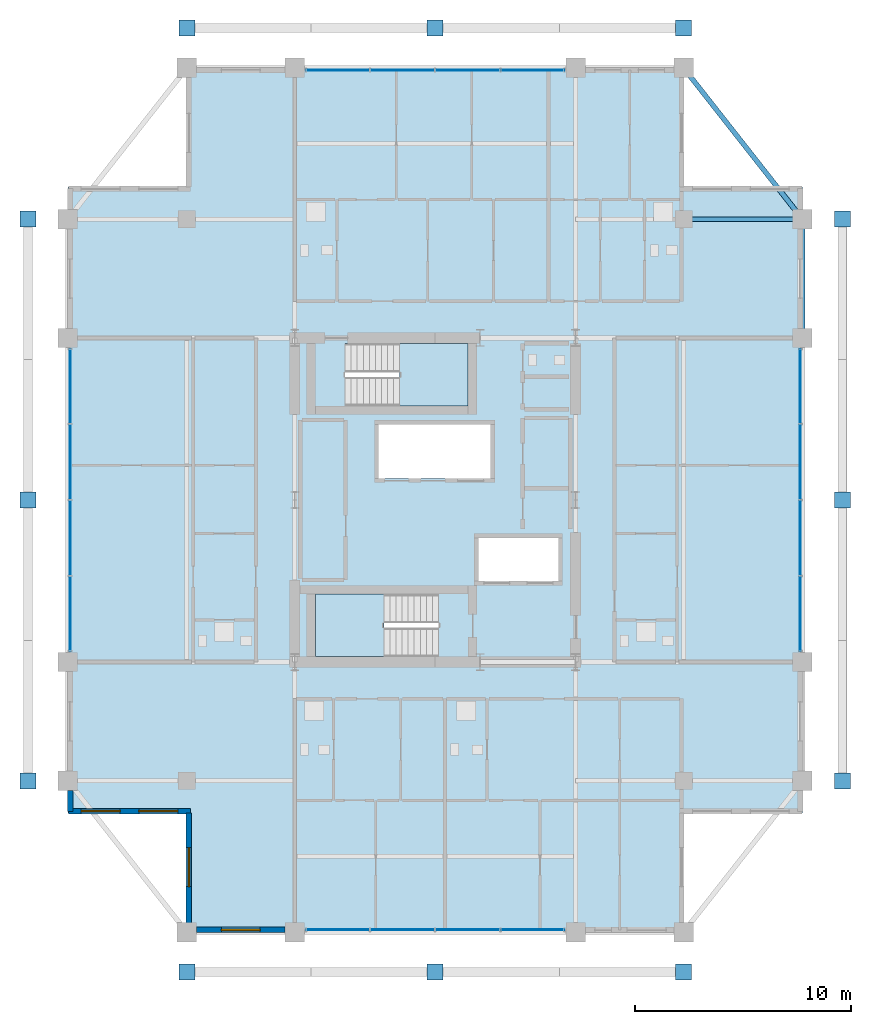
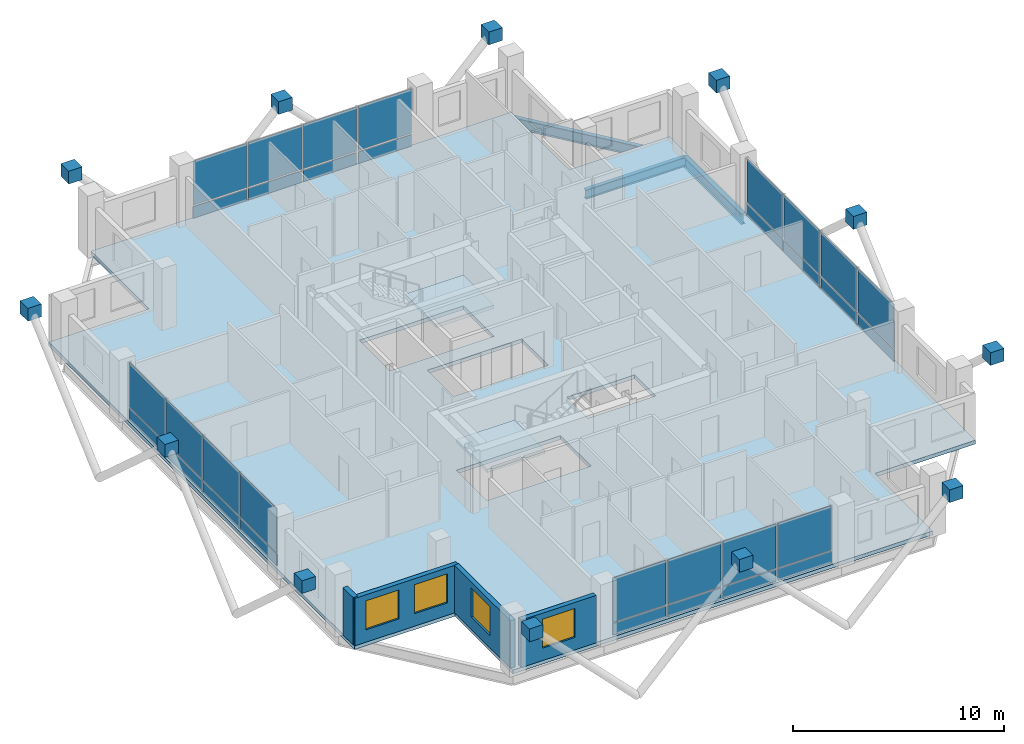
# One storey, part 17 of 24: 44 plates, 4 walls, 4 windows, 3 beams, 3 slabs, 4 openings, 6 elements without a shape of their own.
"""IFC4 building model written with IfcOpenShell, lengths in metres."""

from ifc_helpers import new_model, si_unit, direction, frame, frame_2d, origin, origin_2d, place, context, subcontext, project, spatial, polyline, rectangle, i_section, outline, extrude, material, layer, layer_set, material_profile, profile_set, type_object, element, fill, aggregate, save


model = new_model("IFC4")

# Units and contexts
model_context = context("Model", 3, precision=1e-05, world=origin(), true_north=direction((0.0, 1.0)))
body_context = subcontext(model_context, "Body", "Model", "MODEL_VIEW")
ifc_project = project(units=[si_unit("LENGTHUNIT", "METRE"), si_unit("AREAUNIT", "SQUARE_METRE"), si_unit("VOLUMEUNIT", "CUBIC_METRE"), si_unit("PLANEANGLEUNIT", "RADIAN"), si_unit("MASSUNIT", "GRAM", prefix="KILO")], contexts=[model_context])

# Site, building, storey
site_placement = place(None, origin())
site = spatial("IfcSite", under=ifc_project, at=site_placement, CompositionType="ELEMENT")
building_placement = place(site_placement, origin())
building = spatial("IfcBuilding", under=site, at=building_placement, Name="Barlavira Tower and Art Museum", CompositionType="ELEMENT")
storey_placement = place(building_placement, frame((0.0, 0.0, 225.89990234375)))
storey = spatial("IfcBuildingStorey", under=building, at=storey_placement, Name="L58", CompositionType="ELEMENT", Elevation=225.89990234375)

# Beams
ifc_material_1 = material(Name="Steel S355", Category="steel")
ifc_material_profile_1 = material_profile(ifc_material_1, i_section(OverallWidth=0.22998046875, OverallDepth=0.616943359375, WebThickness=0.01318359375, FlangeThickness=0.022216796875, at=origin_2d()), Name="W610x140.0")
ifc_profile_set_1 = profile_set([ifc_material_profile_1], Name="Steel S355")
beam_type_1 = type_object("IfcBeamType", Name="Upper Shaft Spandrel Edge Beam W610x140 Steel S355", PredefinedType="SPANDREL", material=ifc_profile_set_1)
beam_1_placement = place(storey_placement, frame((17.0, 7.5, -0.5283203125), z_axis=(0.0, 1.0, 0.0), x_axis=(-1.0, 0.0, 0.0)))
element("IfcBeam", 1, at=beam_1_placement, inside=storey, type_object=beam_type_1, Name="L58 Spandrel 7", PredefinedType="SPANDREL", context=body_context, shape_type="SweptSolid", body=[
    extrude(i_section(OverallWidth=0.22998046875, OverallDepth=0.616943359375, WebThickness=0.01318359375, FlangeThickness=0.022216796875, at=origin_2d()), origin(), (0.0, 0.0, 1.0), 5.5),
])
beam_2_placement = place(storey_placement, frame((17.0, 13.0, -0.5283203125), z_axis=(-0.617821551932, 0.786318338822, 0.0), x_axis=(-0.786318338822, -0.617821551932, 0.0)))
element("IfcBeam", 2, at=beam_2_placement, inside=storey, type_object=beam_type_1, Name="L58 Spandrel 8", PredefinedType="SPANDREL", context=body_context, shape_type="SweptSolid", body=[
    extrude(i_section(OverallWidth=0.22998046875, OverallDepth=0.616943359375, WebThickness=0.01318359375, FlangeThickness=0.022216796875, at=origin_2d()), origin(), (0.0, 0.0, 1.0), 8.90234375),
])
ifc_material_profile_2 = material_profile(ifc_material_1, i_section(OverallWidth=0.2109375, OverallDepth=0.5390625, WebThickness=0.01171875, FlangeThickness=0.018798828125, at=origin_2d()), Name="W530x109.0")
ifc_profile_set_2 = profile_set([ifc_material_profile_2], Name="Steel S355")
beam_type_2 = type_object("IfcBeamType", Name="Zone 3-4 Primary Floor Girder W530x109 Steel S355", PredefinedType="BEAM", material=ifc_profile_set_2)
beam_3_placement = place(storey_placement, frame((11.5, 13.0, -0.489501953125), z_axis=(1.0, 0.0, 0.0), x_axis=(0.0, 1.0, 0.0)))
element("IfcBeam", 3, at=beam_3_placement, inside=storey, type_object=beam_type_2, Name="L58 Girder I-N4", PredefinedType="BEAM", context=body_context, shape_type="SweptSolid", body=[
    extrude(i_section(OverallWidth=0.2109375, OverallDepth=0.5390625, WebThickness=0.01171875, FlangeThickness=0.018798828125, at=origin_2d()), origin(), (0.0, 0.0, 1.0), 5.5),
])

# Curtain wall, plates
ifc_material_2 = material(Name="Low-iron coastal laminated glass", Category="glass")
ifc_layer_1 = layer(ifc_material_2, 0.2099609375, Name="Low-iron coastal laminated glass")
ifc_layer_set_1 = layer_set([ifc_layer_1], Name="Low-iron coastal laminated glass")
curtain_wall_type = type_object("IfcCurtainWallType", Name="Pale-Metal Unitised Curtain Wall Zone 4", PredefinedType="NOTDEFINED", material=ifc_layer_set_1)
curtain_wall_1_placement = place(storey_placement, origin())
curtain_wall_1 = element("IfcCurtainWall", 4, at=curtain_wall_1_placement, inside=storey, type_object=curtain_wall_type, Name="L58 Curtain Wall CW4-L58-S-B2", PredefinedType="NOTDEFINED")
ifc_material_3 = material(Name="Pale anodised aluminium", Category="aluminium")
ifc_layer_2 = layer(ifc_material_3, 0.044921875, Name="Pale anodised aluminium")
ifc_layer_set_2 = layer_set([ifc_layer_2], Name="Pale anodised aluminium")
plate_type_1 = type_object("IfcPlateType", Name="Curtain Wall Pale-Metal Spandrel Panel 45", PredefinedType="CURTAIN_PANEL", material=ifc_layer_set_2)
plate_1_placement = place(storey_placement, frame((-4.5224609375, -19.89990234375, 0.0400390625), z_axis=(0.0, 0.0, 1.0), x_axis=(1.0, 0.0, 0.0)))
plate_1 = element("IfcPlate", 5, at=plate_1_placement, type_object=plate_type_1, Name="CW4-L58-S-B2 Spandrel Panel 0", PredefinedType="CURTAIN_PANEL", context=body_context, shape_type="SweptSolid", body=[
    extrude(rectangle(XDim=2.9150390625, YDim=0.044921875, at=origin_2d()), origin(), (0.0, 0.0, 1.0), 0.6640625),
])
plate_2_placement = place(storey_placement, frame((-1.507568359375, -19.89990234375, 0.0400390625), z_axis=(0.0, 0.0, 1.0), x_axis=(1.0, 0.0, 0.0)))
plate_2 = element("IfcPlate", 6, at=plate_2_placement, type_object=plate_type_1, Name="CW4-L58-S-B2 Spandrel Panel 1", PredefinedType="CURTAIN_PANEL", context=body_context, shape_type="SweptSolid", body=[
    extrude(rectangle(XDim=2.9150390625, YDim=0.044921875, at=origin_2d()), origin(), (0.0, 0.0, 1.0), 0.6640625),
])
plate_3_placement = place(storey_placement, frame((1.507568359375, -19.89990234375, 0.0400390625), z_axis=(0.0, 0.0, 1.0), x_axis=(1.0, 0.0, 0.0)))
plate_3 = element("IfcPlate", 7, at=plate_3_placement, type_object=plate_type_1, Name="CW4-L58-S-B2 Spandrel Panel 2", PredefinedType="CURTAIN_PANEL", context=body_context, shape_type="SweptSolid", body=[
    extrude(rectangle(XDim=2.9150390625, YDim=0.044921875, at=origin_2d()), origin(), (0.0, 0.0, 1.0), 0.6640625),
])
plate_4_placement = place(storey_placement, frame((4.5224609375, -19.89990234375, 0.0400390625), z_axis=(0.0, 0.0, 1.0), x_axis=(1.0, 0.0, 0.0)))
plate_4 = element("IfcPlate", 8, at=plate_4_placement, type_object=plate_type_1, Name="CW4-L58-S-B2 Spandrel Panel 3", PredefinedType="CURTAIN_PANEL", context=body_context, shape_type="SweptSolid", body=[
    extrude(rectangle(XDim=2.9150390625, YDim=0.044921875, at=origin_2d()), origin(), (0.0, 0.0, 1.0), 0.6640625),
])

curtain_wall_2_placement = place(storey_placement, origin())
curtain_wall_2 = element("IfcCurtainWall", 9, at=curtain_wall_2_placement, inside=storey, type_object=curtain_wall_type, Name="L58 Curtain Wall CW4-L58-N-B2", PredefinedType="NOTDEFINED")
plate_5_placement = place(storey_placement, frame((4.5224609375, 19.89990234375, 0.0400390625), z_axis=(0.0, 0.0, 1.0), x_axis=(-1.0, 0.0, 0.0)))
plate_5 = element("IfcPlate", 10, at=plate_5_placement, type_object=plate_type_1, Name="CW4-L58-N-B2 Spandrel Panel 0", PredefinedType="CURTAIN_PANEL", context=body_context, shape_type="SweptSolid", body=[
    extrude(rectangle(XDim=2.9150390625, YDim=0.044921875, at=origin_2d()), origin(), (0.0, 0.0, 1.0), 0.6640625),
])
plate_6_placement = place(storey_placement, frame((1.507568359375, 19.89990234375, 0.0400390625), z_axis=(0.0, 0.0, 1.0), x_axis=(-1.0, 0.0, 0.0)))
plate_6 = element("IfcPlate", 11, at=plate_6_placement, type_object=plate_type_1, Name="CW4-L58-N-B2 Spandrel Panel 1", PredefinedType="CURTAIN_PANEL", context=body_context, shape_type="SweptSolid", body=[
    extrude(rectangle(XDim=2.9150390625, YDim=0.044921875, at=origin_2d()), origin(), (0.0, 0.0, 1.0), 0.6640625),
])
plate_7_placement = place(storey_placement, frame((-1.507568359375, 19.89990234375, 0.0400390625), z_axis=(0.0, 0.0, 1.0), x_axis=(-1.0, 0.0, 0.0)))
plate_7 = element("IfcPlate", 12, at=plate_7_placement, type_object=plate_type_1, Name="CW4-L58-N-B2 Spandrel Panel 2", PredefinedType="CURTAIN_PANEL", context=body_context, shape_type="SweptSolid", body=[
    extrude(rectangle(XDim=2.9150390625, YDim=0.044921875, at=origin_2d()), origin(), (0.0, 0.0, 1.0), 0.6640625),
])
plate_8_placement = place(storey_placement, frame((-4.5224609375, 19.89990234375, 0.0400390625), z_axis=(0.0, 0.0, 1.0), x_axis=(-1.0, 0.0, 0.0)))
plate_8 = element("IfcPlate", 13, at=plate_8_placement, type_object=plate_type_1, Name="CW4-L58-N-B2 Spandrel Panel 3", PredefinedType="CURTAIN_PANEL", context=body_context, shape_type="SweptSolid", body=[
    extrude(rectangle(XDim=2.9150390625, YDim=0.044921875, at=origin_2d()), origin(), (0.0, 0.0, 1.0), 0.6640625),
])

curtain_wall_3_placement = place(storey_placement, origin())
curtain_wall_3 = element("IfcCurtainWall", 14, at=curtain_wall_3_placement, inside=storey, type_object=curtain_wall_type, Name="L58 Curtain Wall CW4-L58-W-B3", PredefinedType="NOTDEFINED")
plate_9_placement = place(storey_placement, frame((-16.89990234375, 5.2724609375, 0.0400390625), z_axis=(0.0, 0.0, 1.0), x_axis=(0.0, -1.0, 0.0)))
plate_9 = element("IfcPlate", 15, at=plate_9_placement, type_object=plate_type_1, Name="CW4-L58-W-B3 Spandrel Panel 0", PredefinedType="CURTAIN_PANEL", context=body_context, shape_type="SweptSolid", body=[
    extrude(rectangle(XDim=3.4150390625, YDim=0.044921875, at=origin_2d()), origin(), (0.0, 0.0, 1.0), 0.6640625),
])
plate_10_placement = place(storey_placement, frame((-16.89990234375, 1.757568359375, 0.0400390625), z_axis=(0.0, 0.0, 1.0), x_axis=(0.0, -1.0, 0.0)))
plate_10 = element("IfcPlate", 16, at=plate_10_placement, type_object=plate_type_1, Name="CW4-L58-W-B3 Spandrel Panel 1", PredefinedType="CURTAIN_PANEL", context=body_context, shape_type="SweptSolid", body=[
    extrude(rectangle(XDim=3.4150390625, YDim=0.044921875, at=origin_2d()), origin(), (0.0, 0.0, 1.0), 0.6640625),
])
plate_11_placement = place(storey_placement, frame((-16.89990234375, -1.757568359375, 0.0400390625), z_axis=(0.0, 0.0, 1.0), x_axis=(0.0, -1.0, 0.0)))
plate_11 = element("IfcPlate", 17, at=plate_11_placement, type_object=plate_type_1, Name="CW4-L58-W-B3 Spandrel Panel 2", PredefinedType="CURTAIN_PANEL", context=body_context, shape_type="SweptSolid", body=[
    extrude(rectangle(XDim=3.4150390625, YDim=0.044921875, at=origin_2d()), origin(), (0.0, 0.0, 1.0), 0.6640625),
])
plate_12_placement = place(storey_placement, frame((-16.89990234375, -5.2724609375, 0.0400390625), z_axis=(0.0, 0.0, 1.0), x_axis=(0.0, -1.0, 0.0)))
plate_12 = element("IfcPlate", 18, at=plate_12_placement, type_object=plate_type_1, Name="CW4-L58-W-B3 Spandrel Panel 3", PredefinedType="CURTAIN_PANEL", context=body_context, shape_type="SweptSolid", body=[
    extrude(rectangle(XDim=3.4150390625, YDim=0.044921875, at=origin_2d()), origin(), (0.0, 0.0, 1.0), 0.6640625),
])

curtain_wall_4_placement = place(storey_placement, origin())
curtain_wall_4 = element("IfcCurtainWall", 19, at=curtain_wall_4_placement, inside=storey, type_object=curtain_wall_type, Name="L58 Curtain Wall CW4-L58-E-B3", PredefinedType="NOTDEFINED")
plate_13_placement = place(storey_placement, frame((16.89990234375, -5.2724609375, 0.0400390625), z_axis=(0.0, 0.0, 1.0), x_axis=(0.0, 1.0, 0.0)))
plate_13 = element("IfcPlate", 20, at=plate_13_placement, type_object=plate_type_1, Name="CW4-L58-E-B3 Spandrel Panel 0", PredefinedType="CURTAIN_PANEL", context=body_context, shape_type="SweptSolid", body=[
    extrude(rectangle(XDim=3.4150390625, YDim=0.044921875, at=origin_2d()), origin(), (0.0, 0.0, 1.0), 0.6640625),
])
plate_14_placement = place(storey_placement, frame((16.89990234375, -1.757568359375, 0.0400390625), z_axis=(0.0, 0.0, 1.0), x_axis=(0.0, 1.0, 0.0)))
plate_14 = element("IfcPlate", 21, at=plate_14_placement, type_object=plate_type_1, Name="CW4-L58-E-B3 Spandrel Panel 1", PredefinedType="CURTAIN_PANEL", context=body_context, shape_type="SweptSolid", body=[
    extrude(rectangle(XDim=3.4150390625, YDim=0.044921875, at=origin_2d()), origin(), (0.0, 0.0, 1.0), 0.6640625),
])
plate_15_placement = place(storey_placement, frame((16.89990234375, 1.757568359375, 0.0400390625), z_axis=(0.0, 0.0, 1.0), x_axis=(0.0, 1.0, 0.0)))
plate_15 = element("IfcPlate", 22, at=plate_15_placement, type_object=plate_type_1, Name="CW4-L58-E-B3 Spandrel Panel 2", PredefinedType="CURTAIN_PANEL", context=body_context, shape_type="SweptSolid", body=[
    extrude(rectangle(XDim=3.4150390625, YDim=0.044921875, at=origin_2d()), origin(), (0.0, 0.0, 1.0), 0.6640625),
])
plate_16_placement = place(storey_placement, frame((16.89990234375, 5.2724609375, 0.0400390625), z_axis=(0.0, 0.0, 1.0), x_axis=(0.0, 1.0, 0.0)))
plate_16 = element("IfcPlate", 23, at=plate_16_placement, type_object=plate_type_1, Name="CW4-L58-E-B3 Spandrel Panel 3", PredefinedType="CURTAIN_PANEL", context=body_context, shape_type="SweptSolid", body=[
    extrude(rectangle(XDim=3.4150390625, YDim=0.044921875, at=origin_2d()), origin(), (0.0, 0.0, 1.0), 0.6640625),
])

# Plate
ifc_layer_3 = layer(ifc_material_2, 0.028076171875, Name="Low-iron coastal laminated glass")
ifc_layer_set_3 = layer_set([ifc_layer_3], Name="Low-iron coastal laminated glass")
plate_type_2 = type_object("IfcPlateType", Name="Curtain Wall Vision Glazing Panel 28", PredefinedType="CURTAIN_PANEL", material=ifc_layer_set_3)
plate_17_placement = place(storey_placement, frame((-4.5224609375, -19.89990234375, 0.7841796875), z_axis=(0.0, 0.0, 1.0), x_axis=(1.0, 0.0, 0.0)))
plate_17 = element("IfcPlate", 24, at=plate_17_placement, type_object=plate_type_2, Name="CW4-L58-S-B2 Vision Glass Panel 0", PredefinedType="CURTAIN_PANEL", context=body_context, shape_type="SweptSolid", body=[
    extrude(rectangle(XDim=2.9150390625, YDim=0.028076171875, at=origin_2d()), origin(), (0.0, 0.0, 1.0), 2.555908203125),
])

plate_18_placement = place(storey_placement, frame((-1.507568359375, -19.89990234375, 0.7841796875), z_axis=(0.0, 0.0, 1.0), x_axis=(1.0, 0.0, 0.0)))
plate_18 = element("IfcPlate", 25, at=plate_18_placement, type_object=plate_type_2, Name="CW4-L58-S-B2 Vision Glass Panel 1", PredefinedType="CURTAIN_PANEL", context=body_context, shape_type="SweptSolid", body=[
    extrude(rectangle(XDim=2.9150390625, YDim=0.028076171875, at=origin_2d()), origin(), (0.0, 0.0, 1.0), 2.555908203125),
])

plate_19_placement = place(storey_placement, frame((1.507568359375, -19.89990234375, 0.7841796875), z_axis=(0.0, 0.0, 1.0), x_axis=(1.0, 0.0, 0.0)))
plate_19 = element("IfcPlate", 26, at=plate_19_placement, type_object=plate_type_2, Name="CW4-L58-S-B2 Vision Glass Panel 2", PredefinedType="CURTAIN_PANEL", context=body_context, shape_type="SweptSolid", body=[
    extrude(rectangle(XDim=2.9150390625, YDim=0.028076171875, at=origin_2d()), origin(), (0.0, 0.0, 1.0), 2.555908203125),
])

plate_20_placement = place(storey_placement, frame((4.5224609375, -19.89990234375, 0.7841796875), z_axis=(0.0, 0.0, 1.0), x_axis=(1.0, 0.0, 0.0)))
plate_20 = element("IfcPlate", 27, at=plate_20_placement, type_object=plate_type_2, Name="CW4-L58-S-B2 Vision Glass Panel 3", PredefinedType="CURTAIN_PANEL", context=body_context, shape_type="SweptSolid", body=[
    extrude(rectangle(XDim=2.9150390625, YDim=0.028076171875, at=origin_2d()), origin(), (0.0, 0.0, 1.0), 2.555908203125),
])

aggregate(curtain_wall_1, [plate_1, plate_17, plate_2, plate_18, plate_3, plate_19, plate_4, plate_20])

plate_21_placement = place(storey_placement, frame((4.5224609375, 19.89990234375, 0.7841796875), z_axis=(0.0, 0.0, 1.0), x_axis=(-1.0, 0.0, 0.0)))
plate_21 = element("IfcPlate", 28, at=plate_21_placement, type_object=plate_type_2, Name="CW4-L58-N-B2 Vision Glass Panel 0", PredefinedType="CURTAIN_PANEL", context=body_context, shape_type="SweptSolid", body=[
    extrude(rectangle(XDim=2.9150390625, YDim=0.028076171875, at=origin_2d()), origin(), (0.0, 0.0, 1.0), 2.555908203125),
])

plate_22_placement = place(storey_placement, frame((1.507568359375, 19.89990234375, 0.7841796875), z_axis=(0.0, 0.0, 1.0), x_axis=(-1.0, 0.0, 0.0)))
plate_22 = element("IfcPlate", 29, at=plate_22_placement, type_object=plate_type_2, Name="CW4-L58-N-B2 Vision Glass Panel 1", PredefinedType="CURTAIN_PANEL", context=body_context, shape_type="SweptSolid", body=[
    extrude(rectangle(XDim=2.9150390625, YDim=0.028076171875, at=origin_2d()), origin(), (0.0, 0.0, 1.0), 2.555908203125),
])

plate_23_placement = place(storey_placement, frame((-1.507568359375, 19.89990234375, 0.7841796875), z_axis=(0.0, 0.0, 1.0), x_axis=(-1.0, 0.0, 0.0)))
plate_23 = element("IfcPlate", 30, at=plate_23_placement, type_object=plate_type_2, Name="CW4-L58-N-B2 Vision Glass Panel 2", PredefinedType="CURTAIN_PANEL", context=body_context, shape_type="SweptSolid", body=[
    extrude(rectangle(XDim=2.9150390625, YDim=0.028076171875, at=origin_2d()), origin(), (0.0, 0.0, 1.0), 2.555908203125),
])

plate_24_placement = place(storey_placement, frame((-4.5224609375, 19.89990234375, 0.7841796875), z_axis=(0.0, 0.0, 1.0), x_axis=(-1.0, 0.0, 0.0)))
plate_24 = element("IfcPlate", 31, at=plate_24_placement, type_object=plate_type_2, Name="CW4-L58-N-B2 Vision Glass Panel 3", PredefinedType="CURTAIN_PANEL", context=body_context, shape_type="SweptSolid", body=[
    extrude(rectangle(XDim=2.9150390625, YDim=0.028076171875, at=origin_2d()), origin(), (0.0, 0.0, 1.0), 2.555908203125),
])

aggregate(curtain_wall_2, [plate_5, plate_21, plate_6, plate_22, plate_7, plate_23, plate_8, plate_24])

plate_25_placement = place(storey_placement, frame((-16.89990234375, 5.2724609375, 0.7841796875), z_axis=(0.0, 0.0, 1.0), x_axis=(0.0, -1.0, 0.0)))
plate_25 = element("IfcPlate", 32, at=plate_25_placement, type_object=plate_type_2, Name="CW4-L58-W-B3 Vision Glass Panel 0", PredefinedType="CURTAIN_PANEL", context=body_context, shape_type="SweptSolid", body=[
    extrude(rectangle(XDim=3.4150390625, YDim=0.028076171875, at=origin_2d()), origin(), (0.0, 0.0, 1.0), 2.555908203125),
])

plate_26_placement = place(storey_placement, frame((-16.89990234375, 1.757568359375, 0.7841796875), z_axis=(0.0, 0.0, 1.0), x_axis=(0.0, -1.0, 0.0)))
plate_26 = element("IfcPlate", 33, at=plate_26_placement, type_object=plate_type_2, Name="CW4-L58-W-B3 Vision Glass Panel 1", PredefinedType="CURTAIN_PANEL", context=body_context, shape_type="SweptSolid", body=[
    extrude(rectangle(XDim=3.4150390625, YDim=0.028076171875, at=origin_2d()), origin(), (0.0, 0.0, 1.0), 2.555908203125),
])

plate_27_placement = place(storey_placement, frame((-16.89990234375, -1.757568359375, 0.7841796875), z_axis=(0.0, 0.0, 1.0), x_axis=(0.0, -1.0, 0.0)))
plate_27 = element("IfcPlate", 34, at=plate_27_placement, type_object=plate_type_2, Name="CW4-L58-W-B3 Vision Glass Panel 2", PredefinedType="CURTAIN_PANEL", context=body_context, shape_type="SweptSolid", body=[
    extrude(rectangle(XDim=3.4150390625, YDim=0.028076171875, at=origin_2d()), origin(), (0.0, 0.0, 1.0), 2.555908203125),
])

plate_28_placement = place(storey_placement, frame((-16.89990234375, -5.2724609375, 0.7841796875), z_axis=(0.0, 0.0, 1.0), x_axis=(0.0, -1.0, 0.0)))
plate_28 = element("IfcPlate", 35, at=plate_28_placement, type_object=plate_type_2, Name="CW4-L58-W-B3 Vision Glass Panel 3", PredefinedType="CURTAIN_PANEL", context=body_context, shape_type="SweptSolid", body=[
    extrude(rectangle(XDim=3.4150390625, YDim=0.028076171875, at=origin_2d()), origin(), (0.0, 0.0, 1.0), 2.555908203125),
])

aggregate(curtain_wall_3, [plate_9, plate_25, plate_10, plate_26, plate_11, plate_27, plate_12, plate_28])

plate_29_placement = place(storey_placement, frame((16.89990234375, -5.2724609375, 0.7841796875), z_axis=(0.0, 0.0, 1.0), x_axis=(0.0, 1.0, 0.0)))
plate_29 = element("IfcPlate", 36, at=plate_29_placement, type_object=plate_type_2, Name="CW4-L58-E-B3 Vision Glass Panel 0", PredefinedType="CURTAIN_PANEL", context=body_context, shape_type="SweptSolid", body=[
    extrude(rectangle(XDim=3.4150390625, YDim=0.028076171875, at=origin_2d()), origin(), (0.0, 0.0, 1.0), 2.555908203125),
])

plate_30_placement = place(storey_placement, frame((16.89990234375, -1.757568359375, 0.7841796875), z_axis=(0.0, 0.0, 1.0), x_axis=(0.0, 1.0, 0.0)))
plate_30 = element("IfcPlate", 37, at=plate_30_placement, type_object=plate_type_2, Name="CW4-L58-E-B3 Vision Glass Panel 1", PredefinedType="CURTAIN_PANEL", context=body_context, shape_type="SweptSolid", body=[
    extrude(rectangle(XDim=3.4150390625, YDim=0.028076171875, at=origin_2d()), origin(), (0.0, 0.0, 1.0), 2.555908203125),
])

plate_31_placement = place(storey_placement, frame((16.89990234375, 1.757568359375, 0.7841796875), z_axis=(0.0, 0.0, 1.0), x_axis=(0.0, 1.0, 0.0)))
plate_31 = element("IfcPlate", 38, at=plate_31_placement, type_object=plate_type_2, Name="CW4-L58-E-B3 Vision Glass Panel 2", PredefinedType="CURTAIN_PANEL", context=body_context, shape_type="SweptSolid", body=[
    extrude(rectangle(XDim=3.4150390625, YDim=0.028076171875, at=origin_2d()), origin(), (0.0, 0.0, 1.0), 2.555908203125),
])

plate_32_placement = place(storey_placement, frame((16.89990234375, 5.2724609375, 0.7841796875), z_axis=(0.0, 0.0, 1.0), x_axis=(0.0, 1.0, 0.0)))
plate_32 = element("IfcPlate", 39, at=plate_32_placement, type_object=plate_type_2, Name="CW4-L58-E-B3 Vision Glass Panel 3", PredefinedType="CURTAIN_PANEL", context=body_context, shape_type="SweptSolid", body=[
    extrude(rectangle(XDim=3.4150390625, YDim=0.028076171875, at=origin_2d()), origin(), (0.0, 0.0, 1.0), 2.555908203125),
])

aggregate(curtain_wall_4, [plate_13, plate_29, plate_14, plate_30, plate_15, plate_31, plate_16, plate_32])

# Plates
ifc_layer_4 = layer(ifc_material_1, 0.739990234375, Name="Steel S355")
ifc_layer_set_4 = layer_set([ifc_layer_4], Name="Steel S355")
plate_type_3 = type_object("IfcPlateType", Name="Exoskeleton Solid Steel Node Cap Plate Assembly Type 4 Steel S355", PredefinedType="USERDEFINED", material=ifc_layer_set_4)
for number, where, z_axis, x_axis, name in (
    (40, (-11.5, -21.85009765625, 3.10986328125), (0.0, 0.0, 1.0), (1.0, 0.0, 0.0), "Exoskeleton Node S ND-L58-0628"),
    (41, (0.0, -21.85009765625, 3.10986328125), (0.0, 0.0, 1.0), (1.0, 0.0, 0.0), "Exoskeleton Node S ND-L58-0629"),
    (42, (11.5, -21.85009765625, 3.10986328125), (0.0, 0.0, 1.0), (1.0, 0.0, 0.0), "Exoskeleton Node S ND-L58-0630"),
    (43, (-11.5, 21.85009765625, 3.10986328125), (0.0, 0.0, 1.0), (1.0, 0.0, 0.0), "Exoskeleton Node N ND-L58-0639"),
    (44, (0.0, 21.85009765625, 3.10986328125), (0.0, 0.0, 1.0), (1.0, 0.0, 0.0), "Exoskeleton Node N ND-L58-0640"),
    (45, (11.5, 21.85009765625, 3.10986328125), (0.0, 0.0, 1.0), (1.0, 0.0, 0.0), "Exoskeleton Node N ND-L58-0641"),
    (46, (-18.85009765625, -13.0, 3.10986328125), (0.0, 0.0, 1.0), (1.0, 0.0, 0.0), "Exoskeleton Node W ND-L58-0650"),
    (47, (-18.85009765625, 0.0, 3.10986328125), (0.0, 0.0, 1.0), (1.0, 0.0, 0.0), "Exoskeleton Node W ND-L58-0651"),
    (48, (-18.85009765625, 13.0, 3.10986328125), (0.0, 0.0, 1.0), (1.0, 0.0, 0.0), "Exoskeleton Node W ND-L58-0652"),
    (49, (18.85009765625, -13.0, 3.10986328125), (0.0, 0.0, 1.0), (1.0, 0.0, 0.0), "Exoskeleton Node E ND-L58-0661"),
    (50, (18.85009765625, 0.0, 3.10986328125), (0.0, 0.0, 1.0), (1.0, 0.0, 0.0), "Exoskeleton Node E ND-L58-0662"),
    (51, (18.85009765625, 13.0, 3.10986328125), (0.0, 0.0, 1.0), (1.0, 0.0, 0.0), "Exoskeleton Node E ND-L58-0663"),
):
    element("IfcPlate", number, at=place(storey_placement, frame(where, z_axis=z_axis, x_axis=x_axis)), inside=storey, type_object=plate_type_3, Name=name, ObjectType="FLANGE_PLATE", PredefinedType="USERDEFINED", context=body_context, shape_type="SweptSolid", body=[
        extrude(rectangle(XDim=0.739990234375, YDim=0.739990234375, at=origin_2d()), origin(), (0.0, 0.0, 1.0), 0.739990234375),
    ])

# Stair, slab
ifc_material_4 = material(Name="Concrete C45", Category="concrete")
stair_type_1 = type_object("IfcStairType", Name="Tower North Dog-Leg Exit Stair Assembly Concrete C45", PredefinedType="TWO_QUARTER_TURN_STAIR", material=ifc_material_4)
stair_1_placement = place(storey_placement, origin())
stair_1 = element("IfcStair", 52, at=stair_1_placement, inside=storey, type_object=stair_type_1, Name="L58 Tower North Exit Stair ST-T2", PredefinedType="TWO_QUARTER_TURN_STAIR")
ifc_layer_5 = layer(ifc_material_4, 0.199951171875, Name="Concrete C45")
ifc_layer_set_5 = layer_set([ifc_layer_5], Name="Concrete C45")
slab_type_1 = type_object("IfcSlabType", Name="Tower North Dog-Leg Exit Stair Half-Landing Slab 200 Concrete C45", PredefinedType="LANDING", material=ifc_layer_set_5)
slab_1_placement = place(storey_placement, frame((0.0, 0.0, 1.60009765625)))
slab_1 = element("IfcSlab", 53, at=slab_1_placement, type_object=slab_type_1, Name="ST-T2 landing 1", PredefinedType="LANDING", context=body_context, shape_type="SweptSolid", body=[
    extrude(outline(polyline([(-1.64990234375, 4.35009765625), (1.530029296875, 4.35009765625), (1.530029296875, 7.25), (-1.64990234375, 7.25), (-1.64990234375, 4.35009765625)])), origin(), (0.0, 0.0, 1.0), 0.199951171875),
])
aggregate(stair_1, [slab_1])

stair_type_2 = type_object("IfcStairType", Name="Tower South Dog-Leg Exit Stair Assembly Concrete C45", PredefinedType="TWO_QUARTER_TURN_STAIR", material=ifc_material_4)
stair_2_placement = place(storey_placement, origin())
stair_2 = element("IfcStair", 54, at=stair_2_placement, inside=storey, type_object=stair_type_2, Name="L58 Tower South Exit Stair ST-T1", PredefinedType="TWO_QUARTER_TURN_STAIR")
ifc_layer_6 = layer(ifc_material_4, 0.199951171875, Name="Concrete C45")
ifc_layer_set_6 = layer_set([ifc_layer_6], Name="Concrete C45")
slab_type_2 = type_object("IfcSlabType", Name="Tower South Dog-Leg Exit Stair Half-Landing Slab 200 Concrete C45", PredefinedType="LANDING", material=ifc_layer_set_6)
slab_2_placement = place(storey_placement, frame((0.0, 0.0, 1.60009765625)))
slab_2 = element("IfcSlab", 55, at=slab_2_placement, type_object=slab_type_2, Name="ST-T1 landing 1", PredefinedType="LANDING", context=body_context, shape_type="SweptSolid", body=[
    extrude(outline(polyline([(-2.3701171875, -4.35009765625), (-5.550048828125, -4.35009765625), (-5.550048828125, -7.25), (-2.3701171875, -7.25), (-2.3701171875, -4.35009765625)])), origin(), (0.0, 0.0, 1.0), 0.199951171875),
])
aggregate(stair_2, [slab_2])

# Slab
ifc_material_5 = material(Name="Concrete C50", Category="concrete")
ifc_layer_7 = layer(ifc_material_5, 0.18994140625, Name="Concrete C50")
ifc_layer_set_7 = layer_set([ifc_layer_7], Name="Concrete C50")
slab_type_3 = type_object("IfcSlabType", Name="Zone 4 Residential Composite Slab 190 Concrete C50", PredefinedType="FLOOR", material=ifc_layer_set_7)
slab_3_placement = place(storey_placement, frame((0.0, 0.0, -0.219970703125)))
element("IfcSlab", 56, at=slab_3_placement, inside=storey, type_object=slab_type_3, Name="L58 Tower Floor Slab", PredefinedType="FLOOR", context=body_context, shape_type="SweptSolid", body=[
    extrude(outline(polyline([(-11.5, -20.0), (11.5, -20.0), (11.5, -14.5), (17.0, -14.5), (17.0, 14.5), (11.5, 14.5), (11.5, 20.0), (-11.5, 20.0), (-11.5, 14.5), (-17.0, 14.5), (-17.0, -14.5), (-11.5, -14.5), (-11.5, -20.0)]), holes=[polyline([(0.14990234375, -4.35009765625), (-5.550048828125, -4.35009765625), (-5.550048828125, -7.25), (0.14990234375, -7.25), (0.14990234375, -4.35009765625)]), polyline([(-4.169921875, 4.35009765625), (1.530029296875, 4.35009765625), (1.530029296875, 7.25), (-4.169921875, 7.25), (-4.169921875, 4.35009765625)]), polyline([(-2.6201171875, 1.0), (2.56005859375, 1.0), (2.56005859375, 3.5), (-2.6201171875, 3.5), (-2.6201171875, 1.0)]), polyline([(2.0, -3.75), (5.699951171875, -3.75), (5.699951171875, -1.75), (2.0, -1.75), (2.0, -3.75)])]), origin(), (0.0, 0.0, 1.0), 0.219970703125),
])

# Wall, opening, window
ifc_material_6 = material(Name="Precast concrete C40", Category="concrete")
ifc_layer_8 = layer(ifc_material_6, 0.25, Name="Precast concrete C40")
ifc_layer_set_8 = layer_set([ifc_layer_8], Name="Precast concrete C40")
wall_type = type_object("IfcWallType", Name="Notched Corner Spandrel Wall 250 Precast Concrete C40", PredefinedType="SOLIDWALL", material=ifc_layer_set_8)
wall_1_placement = place(storey_placement, frame((-11.054931640625, -19.89990234375, 0.0), z_axis=(0.0, 0.0, 1.0), x_axis=(1.0, 0.0, 0.0)))
wall_1 = element("IfcWall", 57, at=wall_1_placement, inside=storey, type_object=wall_type, Name="L58 Coastal Facade Pier Wall CW4-L58-S-1", PredefinedType="SOLIDWALL", context=body_context, shape_type="SweptSolid", body=[
    extrude(rectangle(XDim=4.10986328125, YDim=0.25, at=frame_2d((2.054931640625, 0.0))), origin(), (0.0, 0.0, 1.0), 2.748046875),
])
opening_1_placement = place(wall_1_placement, frame((1.155029296875, 0.0, 0.719970703125)))
opening_1 = element("IfcOpeningElement", 58, at=opening_1_placement, cuts=wall_1, Name="Opening WN-01", PredefinedType="OPENING", context=body_context, shape_type="SweptSolid", body=[
    extrude(rectangle(XDim=1.800048828125, YDim=1.679931640625, at=frame_2d((0.89990234375, 0.83984375))), frame((0.0, 0.135009765625, 0.0), z_axis=(0.0, -1.0, 0.0), x_axis=(1.0, 0.0, 0.0)), (0.0, 0.0, 1.0), 0.27001953125),
])
window_type = type_object("IfcWindowType", Name="Recessed Notch Corner Punch Window 1800x1680", PartitioningType="SINGLE_PANEL", PredefinedType="WINDOW", material=ifc_material_2)
window_1_placement = place(opening_1_placement, origin())
window_1 = element("IfcWindow", 59, at=window_1_placement, inside=storey, type_object=window_type, Name="L58 Punched Facade Window EWP-CW4-L58-S-1-1", OverallHeight=1.679931640625, OverallWidth=1.800048828125, PartitioningType="SINGLE_PANEL", PredefinedType="WINDOW", context=body_context, shape_type="SweptSolid", body=[
    extrude(rectangle(XDim=1.800048828125, YDim=1.679931640625, at=frame_2d((0.89990234375, 0.83984375))), frame((0.0, 0.030029296875, 0.0), z_axis=(0.0, -1.0, 0.0), x_axis=(1.0, 0.0, 0.0)), (0.0, 0.0, 1.0), 0.06005859375),
])
fill(opening_1, window_1)

# Wall
wall_2_placement = place(storey_placement, frame((-16.89990234375, -13.445068359375, 0.0), z_axis=(0.0, 0.0, 1.0), x_axis=(0.0, -1.0, 0.0)))
element("IfcWall", 60, at=wall_2_placement, inside=storey, type_object=wall_type, Name="L58 Coastal Facade Pier Wall CW4-L58-W-5", PredefinedType="SOLIDWALL", context=body_context, shape_type="SweptSolid", body=[
    extrude(rectangle(XDim=0.97998046875, YDim=0.25, at=frame_2d((0.489990234375, 0.0))), origin(), (0.0, 0.0, 1.0), 2.748046875),
])

# Wall, openings, windows
wall_3_placement = place(storey_placement, frame((-16.97998046875, -14.39990234375, 0.0), z_axis=(0.0, 0.0, 1.0), x_axis=(1.0, 0.0, 0.0)))
wall_3 = element("IfcWall", 61, at=wall_3_placement, inside=storey, type_object=wall_type, Name="L58 Notch Corner Wall SW1", PredefinedType="SOLIDWALL", context=body_context, shape_type="SweptSolid", body=[
    extrude(rectangle(XDim=5.659912109375, YDim=0.25, at=frame_2d((2.830078125, 0.0))), origin(), (0.0, 0.0, 1.0), 2.748046875),
])
opening_2_placement = place(wall_3_placement, frame((0.594970703125, 0.0, 0.719970703125)))
opening_2 = element("IfcOpeningElement", 62, at=opening_2_placement, cuts=wall_3, Name="Opening WN-01", PredefinedType="OPENING", context=body_context, shape_type="SweptSolid", body=[
    extrude(rectangle(XDim=1.800048828125, YDim=1.679931640625, at=frame_2d((0.89990234375, 0.83984375))), frame((0.0, 0.135009765625, 0.0), z_axis=(0.0, -1.0, 0.0), x_axis=(1.0, 0.0, 0.0)), (0.0, 0.0, 1.0), 0.27001953125),
])
opening_3_placement = place(wall_3_placement, frame((3.264892578125, 0.0, 0.719970703125)))
opening_3 = element("IfcOpeningElement", 63, at=opening_3_placement, cuts=wall_3, Name="Opening WN-01", PredefinedType="OPENING", context=body_context, shape_type="SweptSolid", body=[
    extrude(rectangle(XDim=1.800048828125, YDim=1.679931640625, at=frame_2d((0.89990234375, 0.83984375))), frame((0.0, 0.135009765625, 0.0), z_axis=(0.0, -1.0, 0.0), x_axis=(1.0, 0.0, 0.0)), (0.0, 0.0, 1.0), 0.27001953125),
])
window_2_placement = place(opening_2_placement, origin())
window_2 = element("IfcWindow", 64, at=window_2_placement, inside=storey, type_object=window_type, Name="L58 Punched Facade Window EW-NTC-L58-SW1-1", OverallHeight=1.679931640625, OverallWidth=1.800048828125, PartitioningType="SINGLE_PANEL", PredefinedType="WINDOW", context=body_context, shape_type="SweptSolid", body=[
    extrude(rectangle(XDim=1.800048828125, YDim=1.679931640625, at=frame_2d((0.89990234375, 0.83984375))), frame((0.0, 0.030029296875, 0.0), z_axis=(0.0, -1.0, 0.0), x_axis=(1.0, 0.0, 0.0)), (0.0, 0.0, 1.0), 0.06005859375),
])
fill(opening_2, window_2)
window_3_placement = place(opening_3_placement, origin())
window_3 = element("IfcWindow", 65, at=window_3_placement, inside=storey, type_object=window_type, Name="L58 Punched Facade Window EW-NTC-L58-SW1-2", OverallHeight=1.679931640625, OverallWidth=1.800048828125, PartitioningType="SINGLE_PANEL", PredefinedType="WINDOW", context=body_context, shape_type="SweptSolid", body=[
    extrude(rectangle(XDim=1.800048828125, YDim=1.679931640625, at=frame_2d((0.89990234375, 0.83984375))), frame((0.0, 0.030029296875, 0.0), z_axis=(0.0, -1.0, 0.0), x_axis=(1.0, 0.0, 0.0)), (0.0, 0.0, 1.0), 0.06005859375),
])
fill(opening_3, window_3)

# Wall, opening, window
wall_4_placement = place(storey_placement, frame((-11.39990234375, -14.47998046875, 0.0), z_axis=(0.0, 0.0, 1.0), x_axis=(0.0, -1.0, 0.0)))
wall_4 = element("IfcWall", 66, at=wall_4_placement, inside=storey, type_object=wall_type, Name="L58 Notch Corner Wall SW2", PredefinedType="SOLIDWALL", context=body_context, shape_type="SweptSolid", body=[
    extrude(rectangle(XDim=5.340087890625, YDim=0.25, at=frame_2d((2.669921875, 0.0))), origin(), (0.0, 0.0, 1.0), 2.748046875),
])
opening_4_placement = place(wall_4_placement, frame((1.614990234375, 0.0, 0.719970703125)))
opening_4 = element("IfcOpeningElement", 67, at=opening_4_placement, cuts=wall_4, Name="Opening WN-01", PredefinedType="OPENING", context=body_context, shape_type="SweptSolid", body=[
    extrude(rectangle(XDim=1.800048828125, YDim=1.679931640625, at=frame_2d((0.89990234375, 0.83984375))), frame((0.0, 0.135009765625, 0.0), z_axis=(0.0, -1.0, 0.0), x_axis=(1.0, 0.0, 0.0)), (0.0, 0.0, 1.0), 0.27001953125),
])
window_4_placement = place(opening_4_placement, origin())
window_4 = element("IfcWindow", 68, at=window_4_placement, inside=storey, type_object=window_type, Name="L58 Punched Facade Window EW-NTC-L58-SW2-1", OverallHeight=1.679931640625, OverallWidth=1.800048828125, PartitioningType="SINGLE_PANEL", PredefinedType="WINDOW", context=body_context, shape_type="SweptSolid", body=[
    extrude(rectangle(XDim=1.800048828125, YDim=1.679931640625, at=frame_2d((0.89990234375, 0.83984375))), frame((0.0, 0.030029296875, 0.0), z_axis=(0.0, -1.0, 0.0), x_axis=(1.0, 0.0, 0.0)), (0.0, 0.0, 1.0), 0.06005859375),
])
fill(opening_4, window_4)

save(model, "model.ifc")
